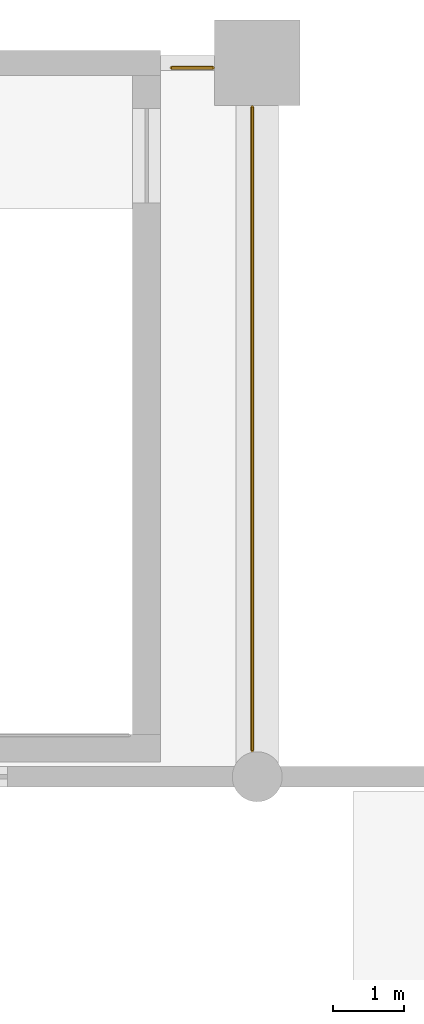
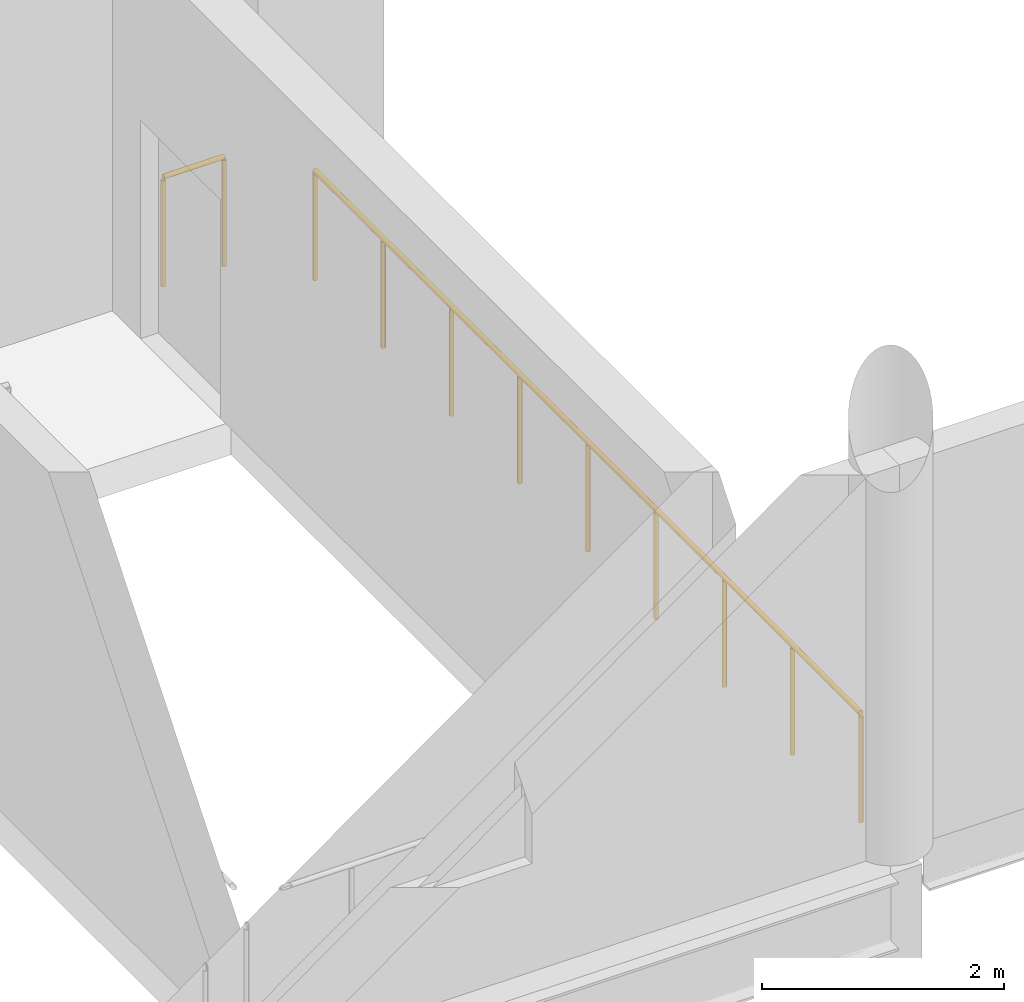
# One storey, part 49 of 49: 2 railings.
"""IFC4 building model written with IfcOpenShell, lengths in metres."""

from ifc_helpers import new_model, si_unit, direction, frame, origin, origin_2d, place, context, subcontext, project, spatial, circle, extrude, material, type_object, element, save


model = new_model("IFC4")

# Units and contexts
model_context = context("Model", 3, precision=1e-05, world=origin(), true_north=direction((0.0, 1.0)))
body_context = subcontext(model_context, "Body", "Model", "MODEL_VIEW")
ifc_project = project(units=[si_unit("LENGTHUNIT", "METRE"), si_unit("AREAUNIT", "SQUARE_METRE"), si_unit("VOLUMEUNIT", "CUBIC_METRE"), si_unit("PLANEANGLEUNIT", "RADIAN"), si_unit("MASSUNIT", "GRAM", prefix="KILO")], contexts=[model_context])

# Site, building, storey
site_placement = place(None, origin())
site = spatial("IfcSite", under=ifc_project, at=site_placement, CompositionType="ELEMENT")
building_placement = place(site_placement, origin())
building = spatial("IfcBuilding", under=site, at=building_placement, Name="Brinegate Civic Arena", CompositionType="ELEMENT")
storey_placement = place(building_placement, frame((0.0, 0.0, 24.60009765625)))
storey = spatial("IfcBuildingStorey", under=building, at=storey_placement, Name="L05", CompositionType="ELEMENT", Elevation=24.60009765625)

# Railings
ifc_material = material(Name="Architectural stainless steel balustrade", Category="steel")
railing_type = type_object("IfcRailingType", Name="RAIL-VOID-BALUSTRADE-1120", PredefinedType="BALUSTRADE", material=ifc_material)
railing_1_placement = place(storey_placement, frame((130.800048828125, 123.929931640625, 0.0)))
element("IfcRailing", 1, at=railing_1_placement, inside=storey, type_object=railing_type, Name="Deck Edge Balustrade L05-426", PredefinedType="BALUSTRADE", context=body_context, shape_type="SweptSolid", body=[
    extrude(circle(Radius=0.02392578125, at=origin_2d()), frame((0.00146484375, 0.0, 1.09619140625), z_axis=(1.0, 0.0, 0.0), x_axis=(0.0, 1.0, 0.0)), (0.0, 0.0, 1.0), 0.576904296875),
    extrude(circle(Radius=0.02099609375, at=origin_2d()), origin(), (0.0, 0.0, 1.0), 1.070068359375),
    extrude(circle(Radius=0.02099609375, at=origin_2d()), frame((0.579833984375, 0.0, 0.0)), (0.0, 0.0, 1.0), 1.070068359375),
])
railing_2_placement = place(storey_placement, frame((131.929931640625, 123.3798828125, 0.0)))
element("IfcRailing", 2, at=railing_2_placement, inside=storey, type_object=railing_type, Name="Deck Edge Balustrade L05-427", PredefinedType="BALUSTRADE", context=body_context, shape_type="SweptSolid", body=[
    extrude(circle(Radius=0.02392578125, at=origin_2d()), frame((0.0, -0.00146484375, 1.09619140625), z_axis=(0.0, -1.0, 0.0), x_axis=(1.0, 0.0, 0.0)), (0.0, 0.0, 1.0), 9.0068359375),
    extrude(circle(Radius=0.02099609375, at=origin_2d()), origin(), (0.0, 0.0, 1.0), 1.070068359375),
    extrude(circle(Radius=0.02099609375, at=origin_2d()), frame((0.0, -1.126220703125, 0.0)), (0.0, 0.0, 1.0), 1.070068359375),
    extrude(circle(Radius=0.02099609375, at=origin_2d()), frame((0.0, -2.25244140625, 0.0)), (0.0, 0.0, 1.0), 1.070068359375),
    extrude(circle(Radius=0.02099609375, at=origin_2d()), frame((0.0, -3.378662109375, 0.0)), (0.0, 0.0, 1.0), 1.070068359375),
    extrude(circle(Radius=0.02099609375, at=origin_2d()), frame((0.0, -4.5048828125, 0.0)), (0.0, 0.0, 1.0), 1.070068359375),
    extrude(circle(Radius=0.02099609375, at=origin_2d()), frame((0.0, -5.631103515625, 0.0)), (0.0, 0.0, 1.0), 1.070068359375),
    extrude(circle(Radius=0.02099609375, at=origin_2d()), frame((0.0, -6.75732421875, 0.0)), (0.0, 0.0, 1.0), 1.070068359375),
    extrude(circle(Radius=0.02099609375, at=origin_2d()), frame((0.0, -7.883544921875, 0.0)), (0.0, 0.0, 1.0), 1.070068359375),
    extrude(circle(Radius=0.02099609375, at=origin_2d()), frame((0.0, -9.009765625, 0.0)), (0.0, 0.0, 1.0), 1.070068359375),
])

save(model, "model.ifc")
